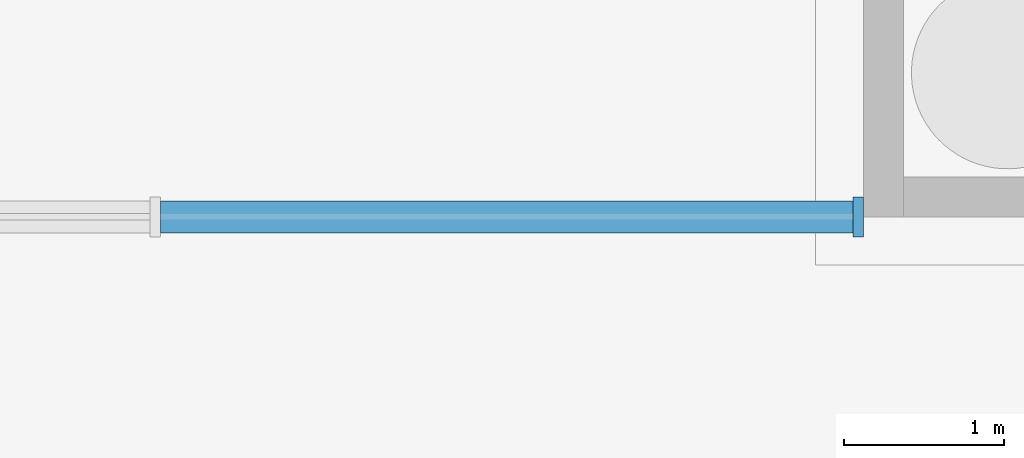
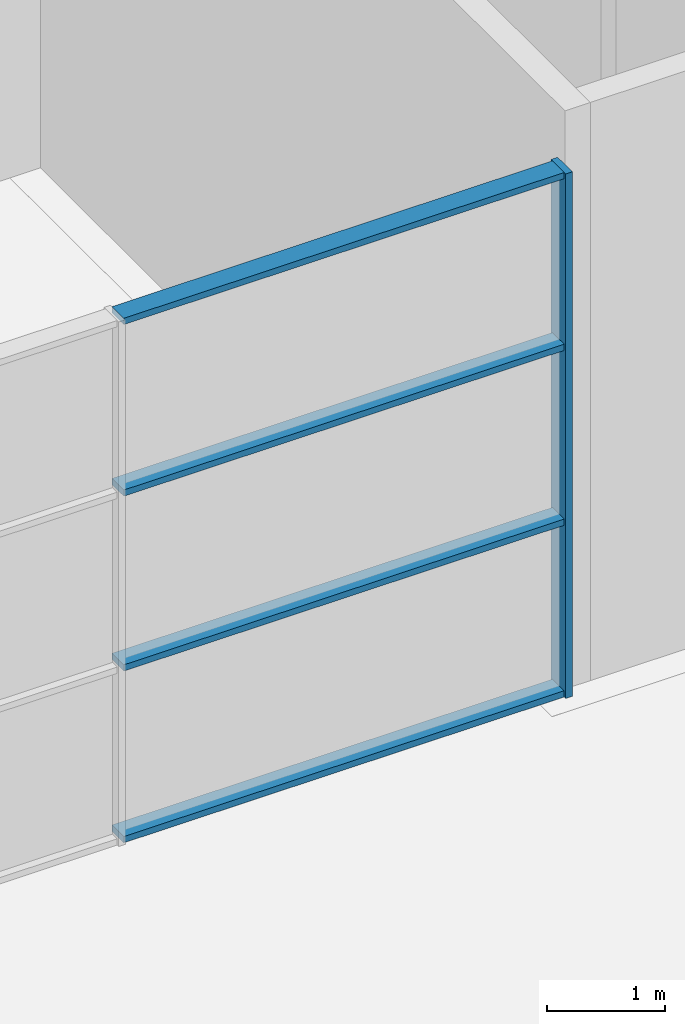
# One storey, part 34 of 97: 5 members, 1 element without a shape of its own.
"""IFC4 building model written with IfcOpenShell, lengths in metres."""

from ifc_helpers import new_model, si_unit, direction, frame, origin, origin_2d, place, context, subcontext, project, spatial, rectangle, extrude, material, layer, layer_set, material_profile, profile_set, type_object, element, aggregate, save


model = new_model("IFC4")

# Units and contexts
model_context = context("Model", 3, precision=1e-05, world=origin(), true_north=direction((0.0, 1.0)))
body_context = subcontext(model_context, "Body", "Model", "MODEL_VIEW")
ifc_project = project(units=[si_unit("LENGTHUNIT", "METRE"), si_unit("AREAUNIT", "SQUARE_METRE"), si_unit("VOLUMEUNIT", "CUBIC_METRE"), si_unit("PLANEANGLEUNIT", "RADIAN"), si_unit("MASSUNIT", "GRAM", prefix="KILO")], contexts=[model_context])

# Site, building, storey
site_placement = place(None, origin())
site = spatial("IfcSite", under=ifc_project, at=site_placement, CompositionType="ELEMENT")
building_placement = place(site_placement, origin())
building = spatial("IfcBuilding", under=site, at=building_placement, Name="Corbel Yard City Hall", CompositionType="ELEMENT")
storey_placement = place(building_placement, origin())
storey = spatial("IfcBuildingStorey", under=building, at=storey_placement, Name="L00", CompositionType="ELEMENT", Elevation=0.0)

# Curtain wall, members
ifc_material = material(Name="Aluminium extrusion", Category="aluminium")
ifc_layer = layer(ifc_material, 0.25)
ifc_layer_set = layer_set([ifc_layer], Name="Aluminium extrusion")
curtain_wall_type = type_object("IfcCurtainWallType", Name="CW4", PredefinedType="USERDEFINED", material=ifc_layer_set)
curtain_wall_placement = place(storey_placement, origin())
curtain_wall = element("IfcCurtainWall", 1, at=curtain_wall_placement, inside=storey, type_object=curtain_wall_type, Name="Curtain wall CW4 L00", ObjectType="CURTAIN WALL", PredefinedType="USERDEFINED")
ifc_material_profile_1 = material_profile(ifc_material, rectangle(XDim=0.25, YDim=0.06494140625, at=origin_2d()), Name="250x65")
ifc_profile_set_1 = profile_set([ifc_material_profile_1], Name="Aluminium extrusion")
member_type_1 = type_object("IfcMemberType", Name="ML4", PredefinedType="MULLION", material=ifc_profile_set_1)
member_1_placement = place(storey_placement, frame((53.967529296875, 45.0, 0.0), z_axis=(0.0, 0.0, 1.0), x_axis=(0.0, 1.0, 0.0)))
member_1 = element("IfcMember", 2, at=member_1_placement, type_object=member_type_1, Name="CW4 mullion 3", PredefinedType="MULLION", context=body_context, shape_type="SweptSolid", body=[
    extrude(rectangle(XDim=0.25, YDim=0.06494140625, at=origin_2d()), origin(), (0.0, 0.0, 1.0), 5.444091796875),
])
ifc_material_profile_2 = material_profile(ifc_material, rectangle(XDim=0.199951171875, YDim=0.06494140625, at=origin_2d()), Name="200x65")
ifc_profile_set_2 = profile_set([ifc_material_profile_2], Name="Aluminium extrusion")
member_type_2 = type_object("IfcMemberType", Name="TR4", PredefinedType="USERDEFINED", material=ifc_profile_set_2)
member_2_placement = place(storey_placement, frame((49.611328125, 45.0, 0.032470703125), z_axis=(1.0, 0.0, 0.0), x_axis=(0.0, 1.0, 0.0)))
member_2 = element("IfcMember", 3, at=member_2_placement, type_object=member_type_2, Name="CW4 transom 2.1", ObjectType="TRANSOM", PredefinedType="USERDEFINED", context=body_context, shape_type="SweptSolid", body=[
    extrude(rectangle(XDim=0.199951171875, YDim=0.06494140625, at=origin_2d()), origin(), (0.0, 0.0, 1.0), 4.32373046875),
])
member_3_placement = place(storey_placement, frame((49.611328125, 45.0, 1.814697265625), z_axis=(1.0, 0.0, 0.0), x_axis=(0.0, 1.0, 0.0)))
member_3 = element("IfcMember", 4, at=member_3_placement, type_object=member_type_2, Name="CW4 transom 2.2", ObjectType="TRANSOM", PredefinedType="USERDEFINED", context=body_context, shape_type="SweptSolid", body=[
    extrude(rectangle(XDim=0.199951171875, YDim=0.06494140625, at=origin_2d()), origin(), (0.0, 0.0, 1.0), 4.32373046875),
])
member_4_placement = place(storey_placement, frame((49.611328125, 45.0, 3.62939453125), z_axis=(1.0, 0.0, 0.0), x_axis=(0.0, 1.0, 0.0)))
member_4 = element("IfcMember", 5, at=member_4_placement, type_object=member_type_2, Name="CW4 transom 2.3", ObjectType="TRANSOM", PredefinedType="USERDEFINED", context=body_context, shape_type="SweptSolid", body=[
    extrude(rectangle(XDim=0.199951171875, YDim=0.06494140625, at=origin_2d()), origin(), (0.0, 0.0, 1.0), 4.32373046875),
])
member_5_placement = place(storey_placement, frame((49.611328125, 45.0, 5.41162109375), z_axis=(1.0, 0.0, 0.0), x_axis=(0.0, 1.0, 0.0)))
member_5 = element("IfcMember", 6, at=member_5_placement, type_object=member_type_2, Name="CW4 transom 2.4", ObjectType="TRANSOM", PredefinedType="USERDEFINED", context=body_context, shape_type="SweptSolid", body=[
    extrude(rectangle(XDim=0.199951171875, YDim=0.06494140625, at=origin_2d()), origin(), (0.0, 0.0, 1.0), 4.32373046875),
])
aggregate(curtain_wall, [member_1, member_2, member_3, member_4, member_5])

save(model, "model.ifc")
